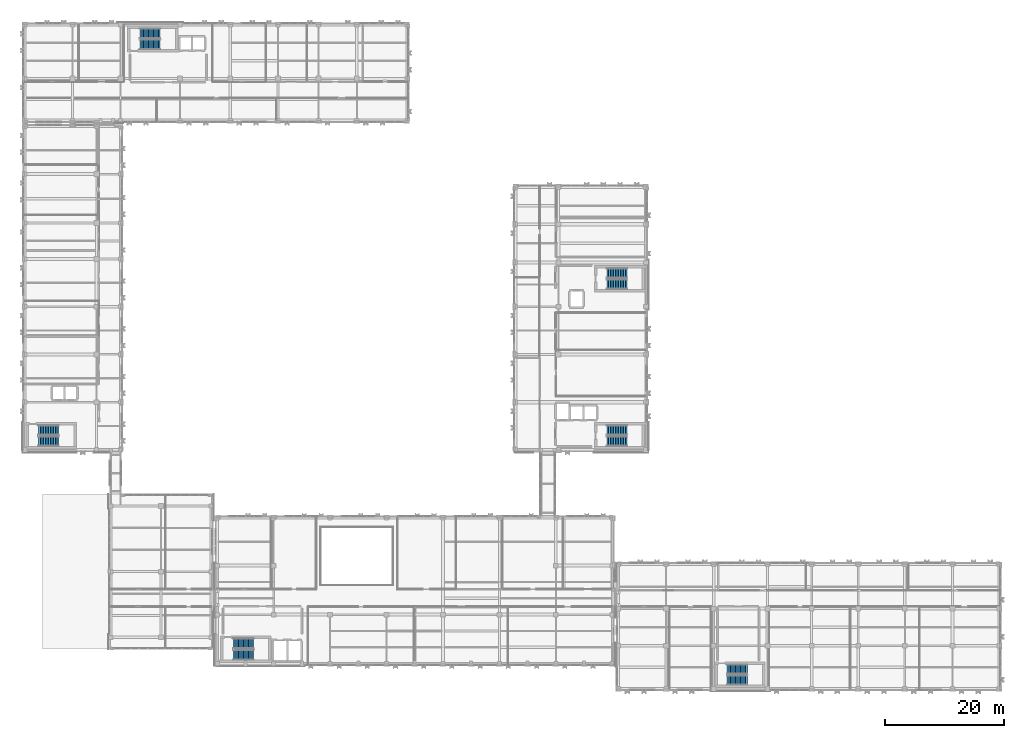
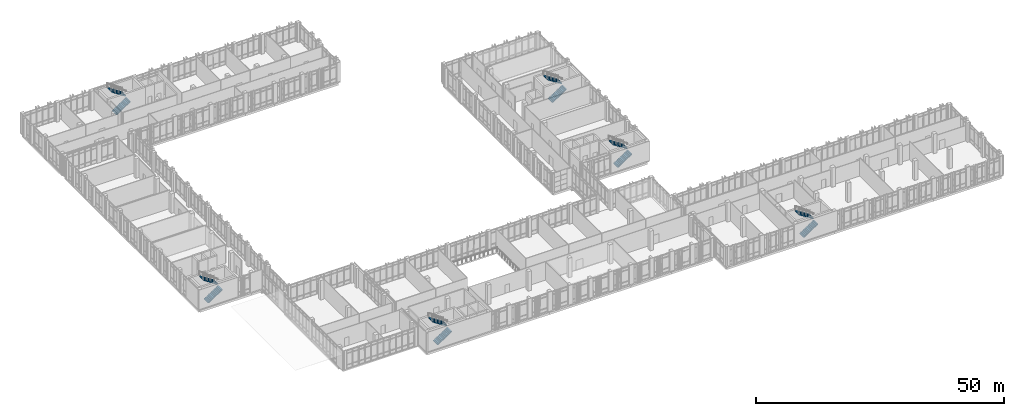
# One storey, part 160 of 189: 12 stair flights, 6 elements without a shape of their own.
"""IFC4 building model written with IfcOpenShell, lengths in metres."""

from ifc_helpers import new_model, si_unit, direction, frame, origin, place, context, subcontext, project, spatial, polyline, outline, extrude, material, type_object, element, aggregate, save


model = new_model("IFC4")

# Units and contexts
model_context = context("Model", 3, precision=1e-05, world=origin(), true_north=direction((0.0, 1.0)))
body_context = subcontext(model_context, "Body", "Model", "MODEL_VIEW")
ifc_project = project(units=[si_unit("LENGTHUNIT", "METRE"), si_unit("AREAUNIT", "SQUARE_METRE"), si_unit("VOLUMEUNIT", "CUBIC_METRE"), si_unit("PLANEANGLEUNIT", "RADIAN"), si_unit("MASSUNIT", "GRAM", prefix="KILO")], contexts=[model_context])

# Site, building, storey
site_placement = place(None, origin())
site = spatial("IfcSite", under=ifc_project, at=site_placement, CompositionType="ELEMENT")
building_placement = place(site_placement, origin())
building = spatial("IfcBuilding", under=site, at=building_placement, Name="Qalavern Law Courts", CompositionType="ELEMENT")
storey_placement = place(building_placement, frame((0.0, 0.0, 5.39990234375)))
storey = spatial("IfcBuildingStorey", under=building, at=storey_placement, Name="L01", CompositionType="ELEMENT", Elevation=5.39990234375)

# Stair, stair flights
ifc_material = material(Name="Concrete C35/45", Category="concrete")
stair_type_1 = type_object("IfcStairType", Name="INT-STAIR-1650", PredefinedType="HALF_TURN_STAIR", material=ifc_material)
stair_1_placement = place(storey_placement, origin())
stair_1 = element("IfcStair", 1, at=stair_1_placement, inside=storey, type_object=stair_type_1, Name="L01 ST-K5", PredefinedType="HALF_TURN_STAIR")
stair_flight_type_1 = type_object("IfcStairFlightType", Name="INT-FLIGHT-1650", PredefinedType="STRAIGHT", material=ifc_material)
stair_flight_1_placement = place(storey_placement, frame((120.050048828125, 2.824951171875, 0.0), z_axis=(0.0, 0.0, 1.0), x_axis=(1.0, 0.0, 0.0)))
stair_flight_1 = element("IfcStairFlight", 2, at=stair_flight_1_placement, type_object=stair_flight_type_1, Name="ST-K5 flight 1", NumberOfRisers=13, NumberOfTreads=12, PredefinedType="STRAIGHT", RiserHeight=0.184615385, TreadLength=0.28, context=body_context, shape_type="SweptSolid", body=[
    extrude(outline(polyline([(0.0, 0.0), (0.0, 0.1845703125), (0.280029296875, 0.1845703125), (0.280029296875, 0.369140625), (0.56005859375, 0.369140625), (0.56005859375, 0.553955078125), (0.840087890625, 0.553955078125), (0.840087890625, 0.738525390625), (1.1201171875, 0.738525390625), (1.1201171875, 0.923095703125), (1.39990234375, 0.923095703125), (1.39990234375, 1.107666015625), (1.679931640625, 1.107666015625), (1.679931640625, 1.292236328125), (1.9599609375, 1.292236328125), (1.9599609375, 1.476806640625), (2.239990234375, 1.476806640625), (2.239990234375, 1.66162109375), (2.52001953125, 1.66162109375), (2.52001953125, 1.84619140625), (2.800048828125, 1.84619140625), (2.800048828125, 2.03076171875), (3.080078125, 2.03076171875), (3.080078125, 2.21533203125), (3.360107421875, 2.21533203125), (3.360107421875, 2.39990234375), (3.360107421875, 2.035888671875), (0.272216796875, 0.0), (0.0, 0.0)])), frame((0.0, 0.824951171875, 0.0), z_axis=(0.0, -1.0, 0.0), x_axis=(1.0, 0.0, 0.0)), (0.0, 0.0, 1.0), 1.64990234375),
])
stair_flight_2_placement = place(storey_placement, frame((123.409912109375, 4.625, 2.400146484375), z_axis=(0.0, 0.0, 1.0), x_axis=(-1.0, 0.0, 0.0)))
stair_flight_2 = element("IfcStairFlight", 3, at=stair_flight_2_placement, type_object=stair_flight_type_1, Name="ST-K5 flight 2", NumberOfRisers=13, NumberOfTreads=12, PredefinedType="STRAIGHT", RiserHeight=0.184615385, TreadLength=0.28, context=body_context, shape_type="SweptSolid", body=[
    extrude(outline(polyline([(0.0, 0.0), (0.0, 0.1845703125), (0.280029296875, 0.1845703125), (0.280029296875, 0.369140625), (0.56005859375, 0.369140625), (0.56005859375, 0.553955078125), (0.840087890625, 0.553955078125), (0.840087890625, 0.738525390625), (1.1201171875, 0.738525390625), (1.1201171875, 0.923095703125), (1.39990234375, 0.923095703125), (1.39990234375, 1.107666015625), (1.679931640625, 1.107666015625), (1.679931640625, 1.292236328125), (1.9599609375, 1.292236328125), (1.9599609375, 1.476806640625), (2.239990234375, 1.476806640625), (2.239990234375, 1.66162109375), (2.52001953125, 1.66162109375), (2.52001953125, 1.84619140625), (2.800048828125, 1.84619140625), (2.800048828125, 2.03076171875), (3.080078125, 2.03076171875), (3.080078125, 2.21533203125), (3.360107421875, 2.21533203125), (3.360107421875, 2.39990234375), (3.360107421875, 2.035888671875), (0.272216796875, 0.0), (0.0, 0.0)])), frame((0.0, 0.824951171875, 0.0), z_axis=(0.0, -1.0, 0.0), x_axis=(1.0, 0.0, 0.0)), (0.0, 0.0, 1.0), 1.64990234375),
])
aggregate(stair_1, [stair_flight_1, stair_flight_2])

stair_type_2 = type_object("IfcStairType", Name="INT-STAIR-1700", PredefinedType="HALF_TURN_STAIR", material=ifc_material)
stair_2_placement = place(storey_placement, origin())
stair_2 = element("IfcStair", 4, at=stair_2_placement, inside=storey, type_object=stair_type_2, Name="L01 ST-K1A", PredefinedType="HALF_TURN_STAIR")
stair_flight_type_2 = type_object("IfcStairFlightType", Name="INT-FLIGHT-1700", PredefinedType="STRAIGHT", material=ifc_material)
stair_flight_3_placement = place(storey_placement, frame((99.89990234375, 42.85009765625, 0.0), z_axis=(0.0, 0.0, 1.0), x_axis=(1.0, 0.0, 0.0)))
stair_flight_3 = element("IfcStairFlight", 5, at=stair_flight_3_placement, type_object=stair_flight_type_2, Name="ST-K1A flight 1", NumberOfRisers=13, NumberOfTreads=12, PredefinedType="STRAIGHT", RiserHeight=0.184615385, TreadLength=0.28, context=body_context, shape_type="SweptSolid", body=[
    extrude(outline(polyline([(0.0, 0.0), (0.0, 0.1845703125), (0.280029296875, 0.1845703125), (0.280029296875, 0.369140625), (0.56005859375, 0.369140625), (0.56005859375, 0.553955078125), (0.840087890625, 0.553955078125), (0.840087890625, 0.738525390625), (1.1201171875, 0.738525390625), (1.1201171875, 0.923095703125), (1.39990234375, 0.923095703125), (1.39990234375, 1.107666015625), (1.679931640625, 1.107666015625), (1.679931640625, 1.292236328125), (1.9599609375, 1.292236328125), (1.9599609375, 1.476806640625), (2.239990234375, 1.476806640625), (2.239990234375, 1.66162109375), (2.52001953125, 1.66162109375), (2.52001953125, 1.84619140625), (2.800048828125, 1.84619140625), (2.800048828125, 2.03076171875), (3.080078125, 2.03076171875), (3.080078125, 2.21533203125), (3.360107421875, 2.21533203125), (3.360107421875, 2.39990234375), (3.360107421875, 2.035888671875), (0.272216796875, 0.0), (0.0, 0.0)])), frame((0.0, 0.85009765625, 0.0), z_axis=(0.0, -1.0, 0.0), x_axis=(1.0, 0.0, 0.0)), (0.0, 0.0, 1.0), 1.699951171875),
])
stair_flight_4_placement = place(storey_placement, frame((103.260009765625, 44.699951171875, 2.400146484375), z_axis=(0.0, 0.0, 1.0), x_axis=(-1.0, 0.0, 0.0)))
stair_flight_4 = element("IfcStairFlight", 6, at=stair_flight_4_placement, type_object=stair_flight_type_2, Name="ST-K1A flight 2", NumberOfRisers=13, NumberOfTreads=12, PredefinedType="STRAIGHT", RiserHeight=0.184615385, TreadLength=0.28, context=body_context, shape_type="SweptSolid", body=[
    extrude(outline(polyline([(0.0, 0.0), (0.0, 0.1845703125), (0.280029296875, 0.1845703125), (0.280029296875, 0.369140625), (0.56005859375, 0.369140625), (0.56005859375, 0.553955078125), (0.840087890625, 0.553955078125), (0.840087890625, 0.738525390625), (1.1201171875, 0.738525390625), (1.1201171875, 0.923095703125), (1.39990234375, 0.923095703125), (1.39990234375, 1.107666015625), (1.679931640625, 1.107666015625), (1.679931640625, 1.292236328125), (1.9599609375, 1.292236328125), (1.9599609375, 1.476806640625), (2.239990234375, 1.476806640625), (2.239990234375, 1.66162109375), (2.52001953125, 1.66162109375), (2.52001953125, 1.84619140625), (2.800048828125, 1.84619140625), (2.800048828125, 2.03076171875), (3.080078125, 2.03076171875), (3.080078125, 2.21533203125), (3.360107421875, 2.21533203125), (3.360107421875, 2.39990234375), (3.360107421875, 2.035888671875), (0.272216796875, 0.0), (0.0, 0.0)])), frame((0.0, 0.85009765625, 0.0), z_axis=(0.0, -1.0, 0.0), x_axis=(1.0, 0.0, 0.0)), (0.0, 0.0, 1.0), 1.699951171875),
])
aggregate(stair_2, [stair_flight_3, stair_flight_4])

stair_3_placement = place(storey_placement, origin())
stair_3 = element("IfcStair", 7, at=stair_3_placement, inside=storey, type_object=stair_type_2, Name="L01 ST-K1B", PredefinedType="HALF_TURN_STAIR")
stair_flight_5_placement = place(storey_placement, frame((99.89990234375, 69.14990234375, 0.0), z_axis=(0.0, 0.0, 1.0), x_axis=(1.0, 0.0, 0.0)))
stair_flight_5 = element("IfcStairFlight", 8, at=stair_flight_5_placement, type_object=stair_flight_type_2, Name="ST-K1B flight 1", NumberOfRisers=13, NumberOfTreads=12, PredefinedType="STRAIGHT", RiserHeight=0.184615385, TreadLength=0.28, context=body_context, shape_type="SweptSolid", body=[
    extrude(outline(polyline([(0.0, 0.0), (0.0, 0.1845703125), (0.280029296875, 0.1845703125), (0.280029296875, 0.369140625), (0.56005859375, 0.369140625), (0.56005859375, 0.553955078125), (0.840087890625, 0.553955078125), (0.840087890625, 0.738525390625), (1.1201171875, 0.738525390625), (1.1201171875, 0.923095703125), (1.39990234375, 0.923095703125), (1.39990234375, 1.107666015625), (1.679931640625, 1.107666015625), (1.679931640625, 1.292236328125), (1.9599609375, 1.292236328125), (1.9599609375, 1.476806640625), (2.239990234375, 1.476806640625), (2.239990234375, 1.66162109375), (2.52001953125, 1.66162109375), (2.52001953125, 1.84619140625), (2.800048828125, 1.84619140625), (2.800048828125, 2.03076171875), (3.080078125, 2.03076171875), (3.080078125, 2.21533203125), (3.360107421875, 2.21533203125), (3.360107421875, 2.39990234375), (3.360107421875, 2.035888671875), (0.272216796875, 0.0), (0.0, 0.0)])), frame((0.0, 0.85009765625, 0.0), z_axis=(0.0, -1.0, 0.0), x_axis=(1.0, 0.0, 0.0)), (0.0, 0.0, 1.0), 1.699951171875),
])
stair_flight_6_placement = place(storey_placement, frame((103.260009765625, 71.0, 2.400146484375), z_axis=(0.0, 0.0, 1.0), x_axis=(-1.0, 0.0, 0.0)))
stair_flight_6 = element("IfcStairFlight", 9, at=stair_flight_6_placement, type_object=stair_flight_type_2, Name="ST-K1B flight 2", NumberOfRisers=13, NumberOfTreads=12, PredefinedType="STRAIGHT", RiserHeight=0.184615385, TreadLength=0.28, context=body_context, shape_type="SweptSolid", body=[
    extrude(outline(polyline([(0.0, 0.0), (0.0, 0.1845703125), (0.280029296875, 0.1845703125), (0.280029296875, 0.369140625), (0.56005859375, 0.369140625), (0.56005859375, 0.553955078125), (0.840087890625, 0.553955078125), (0.840087890625, 0.738525390625), (1.1201171875, 0.738525390625), (1.1201171875, 0.923095703125), (1.39990234375, 0.923095703125), (1.39990234375, 1.107666015625), (1.679931640625, 1.107666015625), (1.679931640625, 1.292236328125), (1.9599609375, 1.292236328125), (1.9599609375, 1.476806640625), (2.239990234375, 1.476806640625), (2.239990234375, 1.66162109375), (2.52001953125, 1.66162109375), (2.52001953125, 1.84619140625), (2.800048828125, 1.84619140625), (2.800048828125, 2.03076171875), (3.080078125, 2.03076171875), (3.080078125, 2.21533203125), (3.360107421875, 2.21533203125), (3.360107421875, 2.39990234375), (3.360107421875, 2.035888671875), (0.272216796875, 0.0), (0.0, 0.0)])), frame((0.0, 0.85009765625, 0.0), z_axis=(0.0, -1.0, 0.0), x_axis=(1.0, 0.0, 0.0)), (0.0, 0.0, 1.0), 1.699951171875),
])
aggregate(stair_3, [stair_flight_5, stair_flight_6])

stair_4_placement = place(storey_placement, origin())
stair_4 = element("IfcStair", 10, at=stair_4_placement, inside=storey, type_object=stair_type_2, Name="L01 ST-K2", PredefinedType="HALF_TURN_STAIR")
stair_flight_7_placement = place(storey_placement, frame((4.699951171875, 42.85009765625, 0.0), z_axis=(0.0, 0.0, 1.0), x_axis=(1.0, 0.0, 0.0)))
stair_flight_7 = element("IfcStairFlight", 11, at=stair_flight_7_placement, type_object=stair_flight_type_2, Name="ST-K2 flight 1", NumberOfRisers=13, NumberOfTreads=12, PredefinedType="STRAIGHT", RiserHeight=0.184615385, TreadLength=0.28, context=body_context, shape_type="SweptSolid", body=[
    extrude(outline(polyline([(0.0, 0.0), (0.0, 0.1845703125), (0.280029296875, 0.1845703125), (0.280029296875, 0.369140625), (0.56005859375, 0.369140625), (0.56005859375, 0.553955078125), (0.840087890625, 0.553955078125), (0.840087890625, 0.738525390625), (1.1201171875, 0.738525390625), (1.1201171875, 0.923095703125), (1.39990234375, 0.923095703125), (1.39990234375, 1.107666015625), (1.679931640625, 1.107666015625), (1.679931640625, 1.292236328125), (1.9599609375, 1.292236328125), (1.9599609375, 1.476806640625), (2.239990234375, 1.476806640625), (2.239990234375, 1.66162109375), (2.52001953125, 1.66162109375), (2.52001953125, 1.84619140625), (2.800048828125, 1.84619140625), (2.800048828125, 2.03076171875), (3.080078125, 2.03076171875), (3.080078125, 2.21533203125), (3.360107421875, 2.21533203125), (3.360107421875, 2.39990234375), (3.360107421875, 2.035888671875), (0.272216796875, 0.0), (0.0, 0.0)])), frame((0.0, 0.85009765625, 0.0), z_axis=(0.0, -1.0, 0.0), x_axis=(1.0, 0.0, 0.0)), (0.0, 0.0, 1.0), 1.699951171875),
])
stair_flight_8_placement = place(storey_placement, frame((8.06005859375, 44.699951171875, 2.400146484375), z_axis=(0.0, 0.0, 1.0), x_axis=(-1.0, 0.0, 0.0)))
stair_flight_8 = element("IfcStairFlight", 12, at=stair_flight_8_placement, type_object=stair_flight_type_2, Name="ST-K2 flight 2", NumberOfRisers=13, NumberOfTreads=12, PredefinedType="STRAIGHT", RiserHeight=0.184615385, TreadLength=0.28, context=body_context, shape_type="SweptSolid", body=[
    extrude(outline(polyline([(0.0, 0.0), (0.0, 0.1845703125), (0.280029296875, 0.1845703125), (0.280029296875, 0.369140625), (0.56005859375, 0.369140625), (0.56005859375, 0.553955078125), (0.840087890625, 0.553955078125), (0.840087890625, 0.738525390625), (1.1201171875, 0.738525390625), (1.1201171875, 0.923095703125), (1.39990234375, 0.923095703125), (1.39990234375, 1.107666015625), (1.679931640625, 1.107666015625), (1.679931640625, 1.292236328125), (1.9599609375, 1.292236328125), (1.9599609375, 1.476806640625), (2.239990234375, 1.476806640625), (2.239990234375, 1.66162109375), (2.52001953125, 1.66162109375), (2.52001953125, 1.84619140625), (2.800048828125, 1.84619140625), (2.800048828125, 2.03076171875), (3.080078125, 2.03076171875), (3.080078125, 2.21533203125), (3.360107421875, 2.21533203125), (3.360107421875, 2.39990234375), (3.360107421875, 2.035888671875), (0.272216796875, 0.0), (0.0, 0.0)])), frame((0.0, 0.85009765625, 0.0), z_axis=(0.0, -1.0, 0.0), x_axis=(1.0, 0.0, 0.0)), (0.0, 0.0, 1.0), 1.699951171875),
])
aggregate(stair_4, [stair_flight_7, stair_flight_8])

stair_5_placement = place(storey_placement, origin())
stair_5 = element("IfcStair", 13, at=stair_5_placement, inside=storey, type_object=stair_type_2, Name="L01 ST-K3", PredefinedType="HALF_TURN_STAIR")
stair_flight_9_placement = place(storey_placement, frame((21.699951171875, 109.300048828125, 0.0), z_axis=(0.0, 0.0, 1.0), x_axis=(1.0, 0.0, 0.0)))
stair_flight_9 = element("IfcStairFlight", 14, at=stair_flight_9_placement, type_object=stair_flight_type_2, Name="ST-K3 flight 1", NumberOfRisers=13, NumberOfTreads=12, PredefinedType="STRAIGHT", RiserHeight=0.184615385, TreadLength=0.28, context=body_context, shape_type="SweptSolid", body=[
    extrude(outline(polyline([(0.0, 0.0), (0.0, 0.1845703125), (0.280029296875, 0.1845703125), (0.280029296875, 0.369140625), (0.56005859375, 0.369140625), (0.56005859375, 0.553955078125), (0.840087890625, 0.553955078125), (0.840087890625, 0.738525390625), (1.1201171875, 0.738525390625), (1.1201171875, 0.923095703125), (1.39990234375, 0.923095703125), (1.39990234375, 1.107666015625), (1.679931640625, 1.107666015625), (1.679931640625, 1.292236328125), (1.9599609375, 1.292236328125), (1.9599609375, 1.476806640625), (2.239990234375, 1.476806640625), (2.239990234375, 1.66162109375), (2.52001953125, 1.66162109375), (2.52001953125, 1.84619140625), (2.800048828125, 1.84619140625), (2.800048828125, 2.03076171875), (3.080078125, 2.03076171875), (3.080078125, 2.21533203125), (3.360107421875, 2.21533203125), (3.360107421875, 2.39990234375), (3.360107421875, 2.035888671875), (0.272216796875, 0.0), (0.0, 0.0)])), frame((0.0, 0.85009765625, 0.0), z_axis=(0.0, -1.0, 0.0), x_axis=(1.0, 0.0, 0.0)), (0.0, 0.0, 1.0), 1.699951171875),
])
stair_flight_10_placement = place(storey_placement, frame((25.06005859375, 111.14990234375, 2.400146484375), z_axis=(0.0, 0.0, 1.0), x_axis=(-1.0, 0.0, 0.0)))
stair_flight_10 = element("IfcStairFlight", 15, at=stair_flight_10_placement, type_object=stair_flight_type_2, Name="ST-K3 flight 2", NumberOfRisers=13, NumberOfTreads=12, PredefinedType="STRAIGHT", RiserHeight=0.184615385, TreadLength=0.28, context=body_context, shape_type="SweptSolid", body=[
    extrude(outline(polyline([(0.0, 0.0), (0.0, 0.1845703125), (0.280029296875, 0.1845703125), (0.280029296875, 0.369140625), (0.56005859375, 0.369140625), (0.56005859375, 0.553955078125), (0.840087890625, 0.553955078125), (0.840087890625, 0.738525390625), (1.1201171875, 0.738525390625), (1.1201171875, 0.923095703125), (1.39990234375, 0.923095703125), (1.39990234375, 1.107666015625), (1.679931640625, 1.107666015625), (1.679931640625, 1.292236328125), (1.9599609375, 1.292236328125), (1.9599609375, 1.476806640625), (2.239990234375, 1.476806640625), (2.239990234375, 1.66162109375), (2.52001953125, 1.66162109375), (2.52001953125, 1.84619140625), (2.800048828125, 1.84619140625), (2.800048828125, 2.03076171875), (3.080078125, 2.03076171875), (3.080078125, 2.21533203125), (3.360107421875, 2.21533203125), (3.360107421875, 2.39990234375), (3.360107421875, 2.035888671875), (0.272216796875, 0.0), (0.0, 0.0)])), frame((0.0, 0.85009765625, 0.0), z_axis=(0.0, -1.0, 0.0), x_axis=(1.0, 0.0, 0.0)), (0.0, 0.0, 1.0), 1.699951171875),
])
aggregate(stair_5, [stair_flight_9, stair_flight_10])

stair_type_3 = type_object("IfcStairType", Name="INT-STAIR-1750", PredefinedType="HALF_TURN_STAIR", material=ifc_material)
stair_6_placement = place(storey_placement, origin())
stair_6 = element("IfcStair", 16, at=stair_6_placement, inside=storey, type_object=stair_type_3, Name="L01 ST-K4", PredefinedType="HALF_TURN_STAIR")
stair_flight_type_3 = type_object("IfcStairFlightType", Name="INT-FLIGHT-1750", PredefinedType="STRAIGHT", material=ifc_material)
stair_flight_11_placement = place(storey_placement, frame((37.35009765625, 7.074951171875, 0.0), z_axis=(0.0, 0.0, 1.0), x_axis=(1.0, 0.0, 0.0)))
stair_flight_11 = element("IfcStairFlight", 17, at=stair_flight_11_placement, type_object=stair_flight_type_3, Name="ST-K4 flight 1", NumberOfRisers=13, NumberOfTreads=12, PredefinedType="STRAIGHT", RiserHeight=0.184615385, TreadLength=0.28, context=body_context, shape_type="SweptSolid", body=[
    extrude(outline(polyline([(0.0, 0.0), (0.0, 0.1845703125), (0.280029296875, 0.1845703125), (0.280029296875, 0.369140625), (0.56005859375, 0.369140625), (0.56005859375, 0.553955078125), (0.840087890625, 0.553955078125), (0.840087890625, 0.738525390625), (1.1201171875, 0.738525390625), (1.1201171875, 0.923095703125), (1.39990234375, 0.923095703125), (1.39990234375, 1.107666015625), (1.679931640625, 1.107666015625), (1.679931640625, 1.292236328125), (1.9599609375, 1.292236328125), (1.9599609375, 1.476806640625), (2.239990234375, 1.476806640625), (2.239990234375, 1.66162109375), (2.52001953125, 1.66162109375), (2.52001953125, 1.84619140625), (2.800048828125, 1.84619140625), (2.800048828125, 2.03076171875), (3.080078125, 2.03076171875), (3.080078125, 2.21533203125), (3.360107421875, 2.21533203125), (3.360107421875, 2.39990234375), (3.360107421875, 2.035888671875), (0.272216796875, 0.0), (0.0, 0.0)])), frame((0.0, 0.875, 0.0), z_axis=(0.0, -1.0, 0.0), x_axis=(1.0, 0.0, 0.0)), (0.0, 0.0, 1.0), 1.75),
])
stair_flight_12_placement = place(storey_placement, frame((40.7099609375, 8.97509765625, 2.400146484375), z_axis=(0.0, 0.0, 1.0), x_axis=(-1.0, 0.0, 0.0)))
stair_flight_12 = element("IfcStairFlight", 18, at=stair_flight_12_placement, type_object=stair_flight_type_3, Name="ST-K4 flight 2", NumberOfRisers=13, NumberOfTreads=12, PredefinedType="STRAIGHT", RiserHeight=0.184615385, TreadLength=0.28, context=body_context, shape_type="SweptSolid", body=[
    extrude(outline(polyline([(0.0, 0.0), (0.0, 0.1845703125), (0.280029296875, 0.1845703125), (0.280029296875, 0.369140625), (0.56005859375, 0.369140625), (0.56005859375, 0.553955078125), (0.840087890625, 0.553955078125), (0.840087890625, 0.738525390625), (1.1201171875, 0.738525390625), (1.1201171875, 0.923095703125), (1.39990234375, 0.923095703125), (1.39990234375, 1.107666015625), (1.679931640625, 1.107666015625), (1.679931640625, 1.292236328125), (1.9599609375, 1.292236328125), (1.9599609375, 1.476806640625), (2.239990234375, 1.476806640625), (2.239990234375, 1.66162109375), (2.52001953125, 1.66162109375), (2.52001953125, 1.84619140625), (2.800048828125, 1.84619140625), (2.800048828125, 2.03076171875), (3.080078125, 2.03076171875), (3.080078125, 2.21533203125), (3.360107421875, 2.21533203125), (3.360107421875, 2.39990234375), (3.360107421875, 2.035888671875), (0.272216796875, 0.0), (0.0, 0.0)])), frame((0.0, 0.875, 0.0), z_axis=(0.0, -1.0, 0.0), x_axis=(1.0, 0.0, 0.0)), (0.0, 0.0, 1.0), 1.75),
])
aggregate(stair_6, [stair_flight_11, stair_flight_12])

save(model, "model.ifc")
